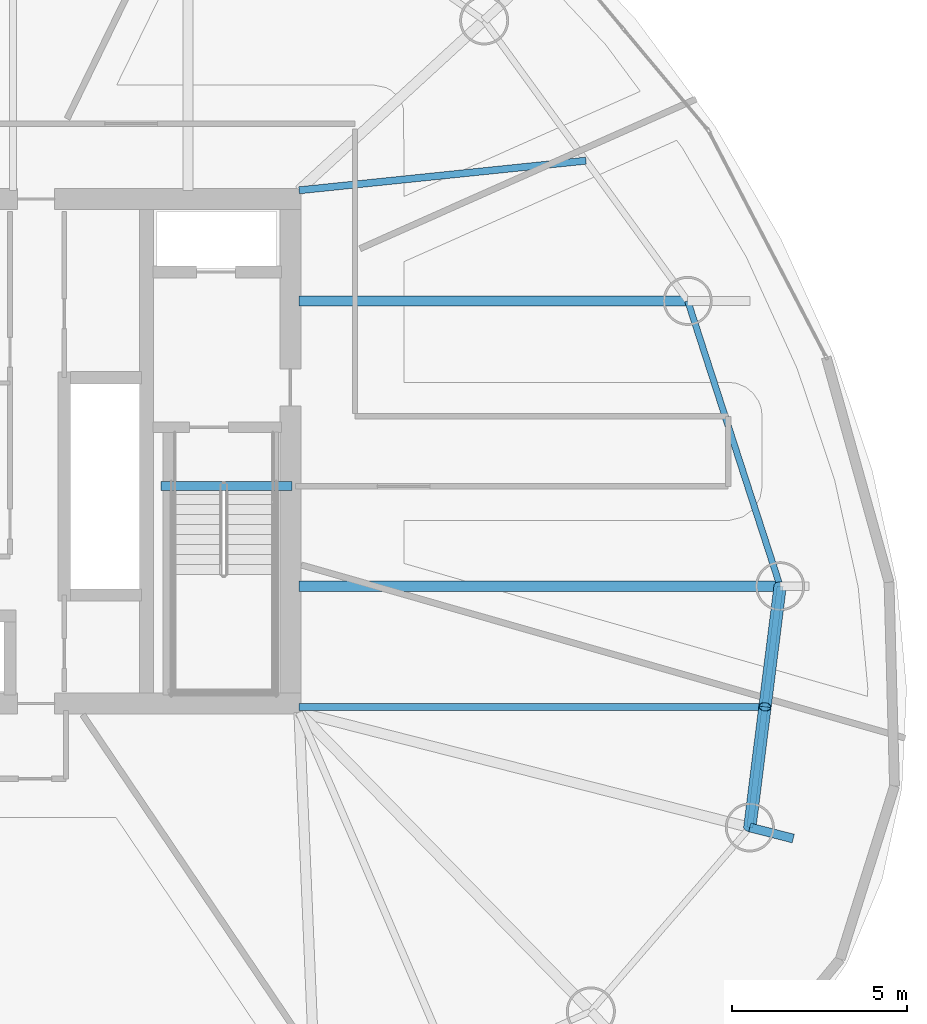
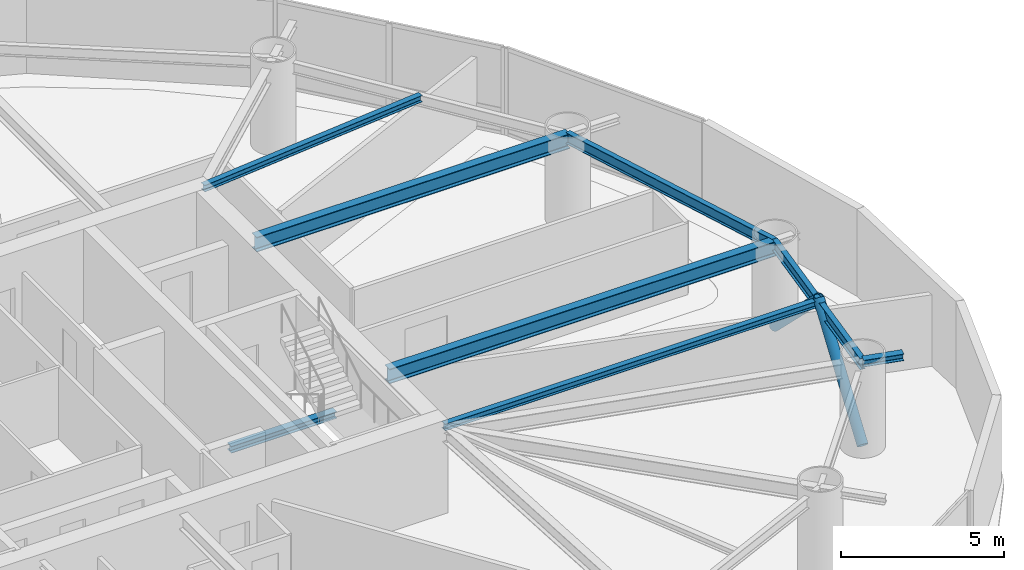
# One storey, part 6 of 20: 8 beams, 2 members.
"""IFC4 building model written with IfcOpenShell, lengths in metres."""

from ifc_helpers import new_model, si_unit, direction, frame, origin, origin_2d, place, context, subcontext, project, spatial, hollow_circle, i_section, extrude, material, material_profile, profile_set, type_object, element, save


model = new_model("IFC4")

# Units and contexts
model_context = context("Model", 3, precision=1e-05, world=origin(), true_north=direction((0.0, 1.0)))
body_context = subcontext(model_context, "Body", "Model", "MODEL_VIEW")
ifc_project = project(units=[si_unit("LENGTHUNIT", "METRE"), si_unit("AREAUNIT", "SQUARE_METRE"), si_unit("VOLUMEUNIT", "CUBIC_METRE"), si_unit("PLANEANGLEUNIT", "RADIAN"), si_unit("MASSUNIT", "GRAM", prefix="KILO")], contexts=[model_context])

# Site, building, storey
site_placement = place(None, origin())
site = spatial("IfcSite", under=ifc_project, at=site_placement, CompositionType="ELEMENT")
building_placement = place(site_placement, origin())
building = spatial("IfcBuilding", under=site, at=building_placement, Name="Bramvorn Convention Spire", CompositionType="ELEMENT")
storey_placement = place(building_placement, frame((0.0, 0.0, 144.800048828125)))
storey = spatial("IfcBuildingStorey", under=building, at=storey_placement, Name="L36", CompositionType="ELEMENT", Elevation=144.800048828125)

# Beams
ifc_material = material(Name="Steel CSA G40.21 Grade 350 (350W)", Category="steel")
ifc_material_profile_1 = material_profile(ifc_material, i_section(OverallWidth=0.201904296875, OverallDepth=0.2470703125, WebThickness=0.00732421875, FlangeThickness=0.010986328125, FilletRadius=0.011962890625, at=origin_2d()))
ifc_profile_set_1 = profile_set([ifc_material_profile_1], Name="Steel CSA G40.21 Grade 350 (350W) - W250X49")
beam_type_1 = type_object("IfcBeamType", Name="BM-W250X49", PredefinedType="JOIST", material=ifc_profile_set_1)
beam_1_placement = place(storey_placement, frame((49.25, 18.705078125, 3.136474609375), z_axis=(1.0, 0.0, 0.0), x_axis=(0.0, 1.0, 0.0)))
element("IfcBeam", 1, at=beam_1_placement, inside=storey, type_object=beam_type_1, Name="L36 composite floor joist 01", PredefinedType="JOIST", context=body_context, shape_type="SweptSolid", body=[
    extrude(i_section(OverallWidth=0.201904296875, OverallDepth=0.2470703125, WebThickness=0.00732421875, FlangeThickness=0.010986328125, FilletRadius=0.011962890625, at=origin_2d()), origin(), (0.0, 0.0, 1.0), 13.30078125),
])
beam_2_placement = place(storey_placement, frame((49.25, 33.449951171875, 3.136474609375), z_axis=(0.994705076194, 0.102770673804, 0.0), x_axis=(-0.102770673804, 0.994705076194, 0.0)))
element("IfcBeam", 2, at=beam_2_placement, inside=storey, type_object=beam_type_1, Name="L36 composite floor joist 03", PredefinedType="JOIST", context=body_context, shape_type="SweptSolid", body=[
    extrude(i_section(OverallWidth=0.201904296875, OverallDepth=0.2470703125, WebThickness=0.00732421875, FlangeThickness=0.010986328125, FilletRadius=0.011962890625, at=origin_2d()), origin(), (0.0, 0.0, 1.0), 8.23388671875),
])
ifc_material_profile_2 = material_profile(ifc_material, i_section(OverallWidth=0.25390625, OverallDepth=0.2529296875, WebThickness=0.008544921875, FlangeThickness=0.01416015625, FilletRadius=0.011962890625, at=origin_2d()))
ifc_profile_set_2 = profile_set([ifc_material_profile_2], Name="Steel CSA G40.21 Grade 350 (350W) - W250X73")
beam_type_2 = type_object("IfcBeamType", Name="BM-W250X73", PredefinedType="BEAM", material=ifc_profile_set_2)
beam_3_placement = place(storey_placement, frame((62.11767578125, 15.26220703125, 3.133544921875), z_axis=(0.968871942912, -0.24756243301, 0.0), x_axis=(0.24756243301, 0.968871942912, 0.0)))
element("IfcBeam", 3, at=beam_3_placement, inside=storey, type_object=beam_type_2, Name="L36 slab-edge cantilever tip beam MC01", PredefinedType="BEAM", context=body_context, shape_type="SweptSolid", body=[
    extrude(i_section(OverallWidth=0.25390625, OverallDepth=0.2529296875, WebThickness=0.008544921875, FlangeThickness=0.01416015625, FilletRadius=0.011962890625, at=origin_2d()), origin(), (0.0, 0.0, 1.0), 1.279052734375),
])
beam_4_placement = place(storey_placement, frame((45.31005859375, 25.010009765625, -0.12646484375), z_axis=(1.0, 0.0, 0.0), x_axis=(0.0, 1.0, 0.0)))
element("IfcBeam", 4, at=beam_4_placement, inside=storey, type_object=beam_type_2, Name="L36 ST2 stair arrival header beam", PredefinedType="BEAM", context=body_context, shape_type="SweptSolid", body=[
    extrude(i_section(OverallWidth=0.25390625, OverallDepth=0.2529296875, WebThickness=0.008544921875, FlangeThickness=0.01416015625, FilletRadius=0.011962890625, at=origin_2d()), origin(), (0.0, 0.0, 1.0), 3.739990234375),
])
ifc_material_profile_3 = material_profile(ifc_material, i_section(OverallWidth=0.180908203125, OverallDepth=0.4169921875, WebThickness=0.010986328125, FlangeThickness=0.018310546875, FilletRadius=0.01611328125, at=origin_2d()))
ifc_profile_set_3 = profile_set([ifc_material_profile_3], Name="Steel CSA G40.21 Grade 350 (350W) - W410X85")
beam_type_3 = type_object("IfcBeamType", Name="BM-W410X85", PredefinedType="JOIST", material=ifc_profile_set_3)
beam_5_placement = place(storey_placement, frame((62.11767578125, 15.26220703125, 3.051513671875), z_axis=(0.124775053879, 0.992185056292, 0.0), x_axis=(-0.992185056292, 0.124775053879, 0.0)))
element("IfcBeam", 5, at=beam_5_placement, inside=storey, type_object=beam_type_3, Name="L36 mega-column ring beam 01", PredefinedType="JOIST", context=body_context, shape_type="SweptSolid", body=[
    extrude(i_section(OverallWidth=0.180908203125, OverallDepth=0.4169921875, WebThickness=0.010986328125, FlangeThickness=0.018310546875, FilletRadius=0.01611328125, at=origin_2d()), origin(), (0.0, 0.0, 1.0), 6.940185546875),
])
beam_6_placement = place(storey_placement, frame((62.983642578125, 22.148193359375, 3.051513671875), z_axis=(-0.308114853612, 0.951349166701, 0.0), x_axis=(-0.951349166701, -0.308114853612, 0.0)))
element("IfcBeam", 6, at=beam_6_placement, inside=storey, type_object=beam_type_3, Name="L36 mega-column ring beam 02", PredefinedType="JOIST", context=body_context, shape_type="SweptSolid", body=[
    extrude(i_section(OverallWidth=0.180908203125, OverallDepth=0.4169921875, WebThickness=0.010986328125, FlangeThickness=0.018310546875, FilletRadius=0.01611328125, at=origin_2d()), origin(), (0.0, 0.0, 1.0), 8.5615234375),
])
ifc_material_profile_4 = material_profile(ifc_material, i_section(OverallWidth=0.2919921875, OverallDepth=0.551025390625, WebThickness=0.01513671875, FlangeThickness=0.0244140625, FilletRadius=0.01904296875, at=origin_2d()))
ifc_profile_set_4 = profile_set([ifc_material_profile_4], Name="Steel CSA G40.21 Grade 350 (350W) - W530X182")
beam_type_4 = type_object("IfcBeamType", Name="BM-W530X182", PredefinedType="BEAM", material=ifc_profile_set_4)
beam_7_placement = place(storey_placement, frame((49.25, 22.148193359375, 2.984375), z_axis=(1.0, 0.0, 0.0), x_axis=(0.0, 1.0, 0.0)))
element("IfcBeam", 7, at=beam_7_placement, inside=storey, type_object=beam_type_4, Name="L36 radial floor girder MC02", PredefinedType="BEAM", context=body_context, shape_type="SweptSolid", body=[
    extrude(i_section(OverallWidth=0.2919921875, OverallDepth=0.551025390625, WebThickness=0.01513671875, FlangeThickness=0.0244140625, FilletRadius=0.01904296875, at=origin_2d()), origin(), (0.0, 0.0, 1.0), 13.733642578125),
])
beam_8_placement = place(storey_placement, frame((49.25, 30.293212890625, 2.984375), z_axis=(1.0, 0.0, 0.0), x_axis=(0.0, 1.0, 0.0)))
element("IfcBeam", 8, at=beam_8_placement, inside=storey, type_object=beam_type_4, Name="L36 radial floor girder MC03", PredefinedType="BEAM", context=body_context, shape_type="SweptSolid", body=[
    extrude(i_section(OverallWidth=0.2919921875, OverallDepth=0.551025390625, WebThickness=0.01513671875, FlangeThickness=0.0244140625, FilletRadius=0.01904296875, at=origin_2d()), origin(), (0.0, 0.0, 1.0), 11.095703125),
])

# Members
ifc_material_profile_5 = material_profile(ifc_material, hollow_circle(Radius=0.177734375, WallThickness=0.015869140625, at=origin_2d()))
ifc_profile_set_5 = profile_set([ifc_material_profile_5], Name="Steel CSA G40.21 Grade 350 (350W) - CHS356X16")
member_type = type_object("IfcMemberType", Name="MBR-CHS356X16", PredefinedType="BRACE", material=ifc_profile_set_5)
for number, where, z_axis, x_axis, name in (
    (9, (62.11767578125, 15.26220703125, 0.0), (0.090912229428, 0.723144484842, 0.684687534999), (-0.992189958039, 0.124736070028, 0.0), "L36 perimeter Gothic lancet brace 1A"),
    (10, (62.983642578125, 22.148193359375, 0.0), (-0.090966454148, -0.723116649599, 0.684709730683), (0.992180152714, -0.124814039917, 0.0), "L36 perimeter Gothic lancet brace 1B"),
):
    element("IfcMember", number, at=place(storey_placement, frame(where, z_axis=z_axis, x_axis=x_axis)), inside=storey, type_object=member_type, Name=name, PredefinedType="BRACE", context=body_context, shape_type="SweptSolid", body=[
        extrude(hollow_circle(Radius=0.177734375, WallThickness=0.015869140625, at=origin_2d()), origin(), (0.0, 0.0, 1.0), 4.76123046875),
    ])

save(model, "model.ifc")
